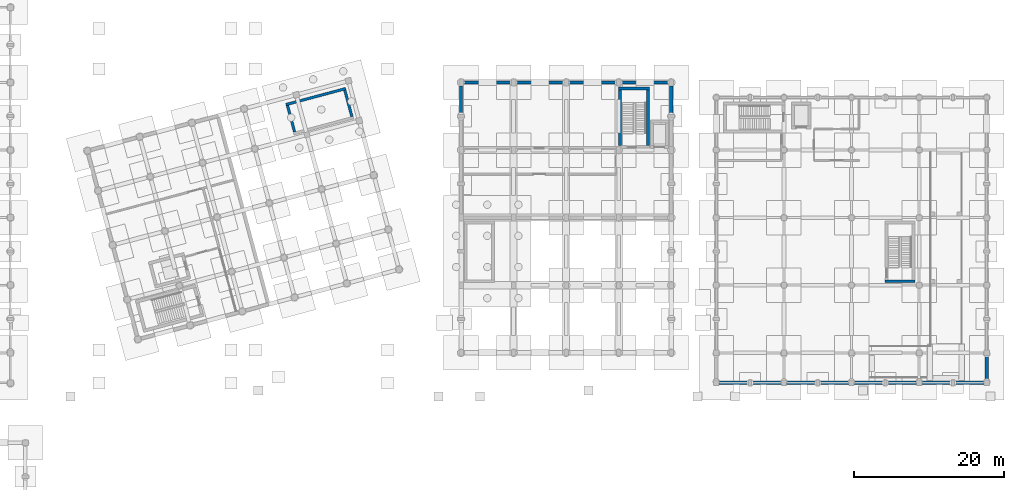
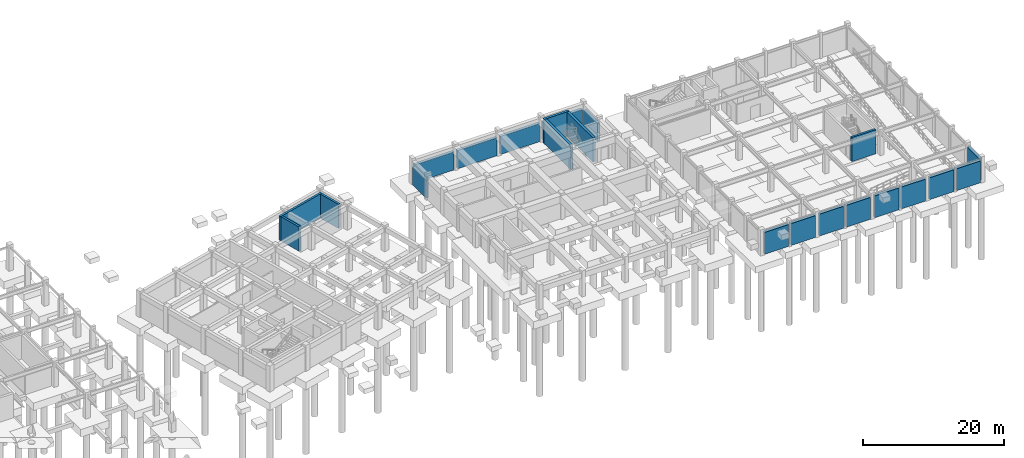
# One storey, part 14 of 20: 22 walls.
"""IFC4 building model written with IfcOpenShell, lengths in metres."""

import ifcopenshell
import ifcopenshell.guid

model = None  # the IFC model being written
_history = None  # IfcOwnerHistory: only IFC2X3 demands one
_inside = {}  # id of a spatial element -> (the spatial element, [elements in it])
_under = {}  # id of a project, library or spatial element -> (it, [spatial elements below it])
_declared = {}  # id of a project -> (the project, [libraries it declares])
_typed = {}  # id of a type object -> (the type object, [elements of that type])
_made_of = {}  # id of a material, layer set ... -> (it, [elements and type objects made of it])


def new_model(schema):
    """Start an empty IFC model of exactly this schema.

    Asked for "IFC4X3", IfcOpenShell would pick the latest addendum, in which some entities
    have other attributes; the version numbers below select the first issue.
    IFC2X3 requires an IfcOwnerHistory on every rooted entity: one is made here for all.
    """
    global model, _history
    if schema == "IFC4X3":
        model = ifcopenshell.file(schema_version=(4, 3, 0, 0))
    else:
        model = ifcopenshell.file(schema=schema)
    _inside.clear()
    _under.clear()
    _declared.clear()
    _typed.clear()
    _made_of.clear()
    _history = None
    if model.schema == "IFC2X3":
        org = make("IfcOrganization", Name="unknown")
        user = make(
            "IfcPersonAndOrganization",
            ThePerson=make("IfcPerson", FamilyName="unknown"),
            TheOrganization=org,
        )
        app = make(
            "IfcApplication",
            ApplicationDeveloper=org,
            Version="unknown",
            ApplicationFullName="unknown",
            ApplicationIdentifier="unknown",
        )
        _history = make(
            "IfcOwnerHistory",
            OwningUser=user,
            OwningApplication=app,
            ChangeAction="ADDED",
            CreationDate=0,
        )
    return model


def make(cls, **values):
    """One entity of the class cls with the attributes given. An attribute that is None is left unset."""
    return model.create_entity(
        cls, **{name: value for name, value in values.items() if value is not None}
    )


def rooted(cls, **values):
    """An entity with a GlobalId (a new one), such as an element, a storey or a relation."""
    return make(cls, GlobalId=ifcopenshell.guid.new(), OwnerHistory=_history, **values)


def si_unit(unit_type, name, prefix=None):
    """IfcSIUnit, for example si_unit("LENGTHUNIT", "METRE", prefix="MILLI")."""
    return make("IfcSIUnit", UnitType=unit_type, Prefix=prefix, Name=name)


def assignment(units):
    """IfcUnitAssignment: the units of a project."""
    return None if units is None else make("IfcUnitAssignment", Units=units)


def point(xyz):
    """IfcCartesianPoint."""
    return None if xyz is None else make("IfcCartesianPoint", Coordinates=xyz)


def direction(xyz):
    """IfcDirection."""
    return None if xyz is None else make("IfcDirection", DirectionRatios=xyz)


def frame(location, z_axis=None, x_axis=None):
    """IfcAxis2Placement3D, a coordinate frame: its origin and axes. An axis left out is left unset."""
    return make(
        "IfcAxis2Placement3D",
        Location=point(location),
        Axis=direction(z_axis),
        RefDirection=direction(x_axis),
    )


def frame_2d(location, x_axis=None):
    """IfcAxis2Placement2D, a coordinate frame in the plane: its origin and x axis."""
    return make(
        "IfcAxis2Placement2D", Location=point(location), RefDirection=direction(x_axis)
    )


def origin():
    """The frame at (0, 0, 0) with its axes left unset."""
    return frame((0.0, 0.0, 0.0))


def place(relative_to, where):
    """IfcLocalPlacement: puts the frame where relative to a parent placement (None: the world)."""
    return make(
        "IfcLocalPlacement", PlacementRelTo=relative_to, RelativePlacement=where
    )


def context(
    kind, dimensions, precision=None, world=None, true_north=None, identifier=None
):
    """IfcGeometricRepresentationContext, for example the 3D "Model" context."""
    return make(
        "IfcGeometricRepresentationContext",
        ContextIdentifier=identifier,
        ContextType=kind,
        CoordinateSpaceDimension=dimensions,
        Precision=precision,
        WorldCoordinateSystem=world,
        TrueNorth=true_north,
    )


def subcontext(parent, identifier, kind, view, scale=None):
    """IfcGeometricRepresentationSubContext, for example "Body" below "Model"."""
    return make(
        "IfcGeometricRepresentationSubContext",
        ContextIdentifier=identifier,
        ContextType=kind,
        ParentContext=parent,
        TargetScale=scale,
        TargetView=view,
    )


def project(units=None, contexts=None):
    """IfcProject with its units and contexts."""
    return rooted(
        "IfcProject",
        Name="project",
        RepresentationContexts=contexts,
        UnitsInContext=assignment(units),
    )


def spatial(cls, under=None, at=None, **own):
    """A site, building, storey or space (cls), placed at a placement, below another one or the project."""
    s = rooted(cls, ObjectPlacement=at, **own)
    if under is not None:
        _under.setdefault(under.id(), (under, []))[1].append(s)
    return s


def profile(cls, at=None, kind="AREA", **sizes):
    """A parametric profile (cls). Its sizes go by their IFC names, for example OverallWidth=200.0."""
    return make(cls, ProfileType=kind, Position=at, **sizes)


def rectangle(**sizes):
    """IfcRectangleProfileDef."""
    return profile("IfcRectangleProfileDef", **sizes)


def extrude(swept, where, along, depth):
    """IfcExtrudedAreaSolid: the profile swept, set in the frame where, extruded along a direction by depth."""
    return make(
        "IfcExtrudedAreaSolid",
        SweptArea=swept,
        Position=where,
        ExtrudedDirection=direction(along),
        Depth=depth,
    )


def shape(context_of_items, identifier, shape_type, items):
    """IfcShapeRepresentation: the items that make up one representation, for example the "Body"."""
    return make(
        "IfcShapeRepresentation",
        ContextOfItems=context_of_items,
        RepresentationIdentifier=identifier,
        RepresentationType=shape_type,
        Items=items,
    )


def material(Name=None, Category=None):
    """IfcMaterial."""
    return make("IfcMaterial", Name=Name, Category=Category)


def layer(
    of_material, thickness, ventilated=None, Name=None, Category=None, Priority=None
):
    """IfcMaterialLayer: one layer of a wall or slab, of a material (None: an air gap)."""
    return make(
        "IfcMaterialLayer",
        Material=of_material,
        LayerThickness=thickness,
        IsVentilated=ventilated,
        Name=Name,
        Category=Category,
        Priority=Priority,
    )


def layer_set(layers, Name=None):
    """IfcMaterialLayerSet."""
    return make("IfcMaterialLayerSet", MaterialLayers=layers, LayerSetName=Name)


def made_of(thing, what):
    """Note that an element or type object is made of a material, layer set ...; save() writes the relation."""
    if what is not None:
        _made_of.setdefault(what.id(), (what, []))[1].append(thing)
    return thing


def type_object(cls, material=None, **own):
    """A type object (cls), such as IfcWallType, which elements share."""
    return made_of(rooted(cls, **own), material)


def element(
    cls,
    number,
    at=None,
    inside=None,
    cuts=None,
    type_object=None,
    material=None,
    context=None,
    identifier="Body",
    shape_type=None,
    held_by="IfcProductDefinitionShape",
    body=None,
    shapes=None,
    **own,
):
    """One element of the class cls, such as IfcWall. Its Tag is "e" and its number.

    at: its placement. inside: the storey or other place that contains it. cuts: it is an
    opening in that element (IfcRelVoidsElement). A single representation is given by context,
    identifier, shape_type and body (its items); several are given by shapes. held_by: the class
    of the entity that holds the representations. save() writes the other relations.
    """
    e = rooted(cls, Tag="e%d" % number, ObjectPlacement=at, **own)
    if body is not None:
        shapes = [shape(context, identifier, shape_type, body)]
    if shapes is not None:
        e.Representation = make(held_by, Representations=shapes)
    if inside is not None:
        _inside.setdefault(inside.id(), (inside, []))[1].append(e)
    if cuts is not None:
        rooted(
            "IfcRelVoidsElement", RelatingBuildingElement=cuts, RelatedOpeningElement=e
        )
    if type_object is not None:
        _typed.setdefault(type_object.id(), (type_object, []))[1].append(e)
    return made_of(e, material)


def aggregate(whole, parts):
    """IfcRelAggregates: a whole, such as a stair, and the parts it consists of."""
    return rooted("IfcRelAggregates", RelatingObject=whole, RelatedObjects=parts)


def save(model, path):
    """Write the relations noted so far, then the file.

    IfcRelAggregates (storeys below a building ...), IfcRelContainedInSpatialStructure (elements
    in a storey), IfcRelDefinesByType, IfcRelAssociatesMaterial and IfcRelDeclares: one each for
    every whole, place, type object, material and project.
    """
    for whole, parts in _under.values():
        aggregate(whole, parts)
    for where, things in _inside.values():
        rooted(
            "IfcRelContainedInSpatialStructure",
            RelatedElements=things,
            RelatingStructure=where,
        )
    for kind, things in _typed.values():
        rooted("IfcRelDefinesByType", RelatedObjects=things, RelatingType=kind)
    for what, things in _made_of.values():
        rooted("IfcRelAssociatesMaterial", RelatedObjects=things, RelatingMaterial=what)
    for by, libraries in _declared.values():
        rooted("IfcRelDeclares", RelatingContext=by, RelatedDefinitions=libraries)
    model.write(path)


model = new_model("IFC4")

# Units and contexts
model_context = context("Model", 3, precision=1e-05, world=origin(), true_north=direction((0.0, 1.0)))
body_context = subcontext(model_context, "Body", "Model", "MODEL_VIEW")
ifc_project = project(units=[si_unit("LENGTHUNIT", "METRE"), si_unit("AREAUNIT", "SQUARE_METRE"), si_unit("VOLUMEUNIT", "CUBIC_METRE"), si_unit("PLANEANGLEUNIT", "RADIAN"), si_unit("MASSUNIT", "GRAM", prefix="KILO")], contexts=[model_context])

# Site, building, storey
site_placement = place(None, origin())
site = spatial("IfcSite", under=ifc_project, at=site_placement, CompositionType="ELEMENT")
building_placement = place(site_placement, origin())
building = spatial("IfcBuilding", under=site, at=building_placement, Name="Ventoquebrada Cableway Terminal", CompositionType="ELEMENT")
storey_placement = place(building_placement, frame((0.0, 0.0, -4.5)))
storey = spatial("IfcBuildingStorey", under=building, at=storey_placement, Name="B1", CompositionType="ELEMENT", Elevation=-4.5)

# Walls
ifc_material_1 = material(Name="Concrete C40/50", Category="concrete")
ifc_layer_1 = layer(ifc_material_1, 0.39990234375)
ifc_layer_set_1 = layer_set([ifc_layer_1], Name="Concrete C40/50")
wall_type_1 = type_object("IfcWallType", Name="WL-CR1", PredefinedType="SHEAR", material=ifc_layer_set_1)
wall_1_placement = place(storey_placement, frame((119.89990234375, 95.60009765625, 0.0), z_axis=(0.0, 0.0, 1.0), x_axis=(0.0, 1.0, 0.0)))
element("IfcWall", 1, at=wall_1_placement, inside=storey, type_object=wall_type_1, Name="Core shear wall IW-0122", PredefinedType="SHEAR", context=body_context, shape_type="SweptSolid", body=[
    extrude(rectangle(XDim=7.39990234375, YDim=0.39990234375, at=frame_2d((3.699951171875, 0.0))), origin(), (0.0, 0.0, 1.0), 4.18994140625),
])
wall_2_placement = place(storey_placement, frame((120.10009765625, 103.199951171875, 0.0), z_axis=(0.0, 0.0, 1.0), x_axis=(-1.0, 0.0, 0.0)))
element("IfcWall", 2, at=wall_2_placement, inside=storey, type_object=wall_type_1, Name="Core shear wall IW-0123", PredefinedType="SHEAR", context=body_context, shape_type="SweptSolid", body=[
    extrude(rectangle(XDim=4.10009765625, YDim=0.39990234375, at=frame_2d((2.050048828125, 0.0))), origin(), (0.0, 0.0, 1.0), 4.18994140625),
])
wall_3_placement = place(storey_placement, frame((116.199951171875, 103.0, 0.0), z_axis=(0.0, 0.0, 1.0), x_axis=(0.0, -1.0, 0.0)))
element("IfcWall", 3, at=wall_3_placement, inside=storey, type_object=wall_type_1, Name="Core shear wall IW-0124", PredefinedType="SHEAR", context=body_context, shape_type="SweptSolid", body=[
    extrude(rectangle(XDim=7.39990234375, YDim=0.39990234375, at=frame_2d((3.699951171875, 0.0))), origin(), (0.0, 0.0, 1.0), 4.18994140625),
])
ifc_material_2 = material(Name="Concrete C45/55", Category="concrete")
ifc_layer_2 = layer(ifc_material_2, 0.449951171875)
ifc_layer_set_2 = layer_set([ifc_layer_2], Name="Concrete C45/55")
wall_type_2 = type_object("IfcWallType", Name="WL-RT1", PredefinedType="USERDEFINED", material=ifc_layer_set_2)
wall_4_placement = place(storey_placement, frame((123.0, 99.719970703125, 0.0), z_axis=(0.0, 0.0, 1.0), x_axis=(0.0, 1.0, 0.0)))
element("IfcWall", 4, at=wall_4_placement, inside=storey, type_object=wall_type_2, Name="Perimeter basement retaining wall EW-0022", ObjectType="RETAINING WALL", PredefinedType="USERDEFINED", context=body_context, shape_type="SweptSolid", body=[
    extrude(rectangle(XDim=3.8349609375, YDim=0.449951171875, at=frame_2d((1.91748046875, 0.0))), origin(), (0.0, 0.0, 1.0), 3.125),
])
for number, where, z_axis, x_axis, name in (
    (5, (122.705078125, 104.0, 0.0), (0.0, 0.0, 1.0), (-1.0, 0.0, 0.0), "Perimeter basement retaining wall EW-0023"),
    (6, (115.705078125, 104.0, 0.0), (0.0, 0.0, 1.0), (-1.0, 0.0, 0.0), "Perimeter basement retaining wall EW-0024"),
    (7, (108.705078125, 104.0, 0.0), (0.0, 0.0, 1.0), (-1.0, 0.0, 0.0), "Perimeter basement retaining wall EW-0025"),
    (8, (101.705078125, 104.0, 0.0), (0.0, 0.0, 1.0), (-1.0, 0.0, 0.0), "Perimeter basement retaining wall EW-0026"),
):
    element("IfcWall", number, at=place(storey_placement, frame(where, z_axis=z_axis, x_axis=x_axis)), inside=storey, type_object=wall_type_2, Name=name, ObjectType="RETAINING WALL", PredefinedType="USERDEFINED", context=body_context, shape_type="SweptSolid", body=[
        extrude(rectangle(XDim=6.41015625, YDim=0.449951171875, at=frame_2d((3.205078125, 0.0))), origin(), (0.0, 0.0, 1.0), 3.125),
    ])
wall_5_placement = place(storey_placement, frame((95.0, 103.554931640625, 0.0), z_axis=(0.0, 0.0, 1.0), x_axis=(0.0, -1.0, 0.0)))
element("IfcWall", 9, at=wall_5_placement, inside=storey, type_object=wall_type_2, Name="Perimeter basement retaining wall EW-0027", ObjectType="RETAINING WALL", PredefinedType="USERDEFINED", context=body_context, shape_type="SweptSolid", body=[
    extrude(rectangle(XDim=3.8349609375, YDim=0.449951171875, at=frame_2d((1.91748046875, 0.0))), origin(), (0.0, 0.0, 1.0), 3.125),
])
for number, where, z_axis, x_axis, name in (
    (10, (129.344970703125, 64.0, 0.0), (0.0, 0.0, 1.0), (1.0, 0.0, 0.0), "Perimeter basement retaining wall EW-0031"),
    (11, (133.695068359375, 64.0, 0.0), (0.0, 0.0, 1.0), (1.0, 0.0, 0.0), "Perimeter basement retaining wall EW-0032"),
    (12, (138.344970703125, 64.0, 0.0), (0.0, 0.0, 1.0), (1.0, 0.0, 0.0), "Perimeter basement retaining wall EW-0033"),
    (13, (142.695068359375, 64.0, 0.0), (0.0, 0.0, 1.0), (1.0, 0.0, 0.0), "Perimeter basement retaining wall EW-0034"),
    (14, (147.344970703125, 64.0, 0.0), (0.0, 0.0, 1.0), (1.0, 0.0, 0.0), "Perimeter basement retaining wall EW-0035"),
    (15, (151.695068359375, 64.0, 0.0), (0.0, 0.0, 1.0), (1.0, 0.0, 0.0), "Perimeter basement retaining wall EW-0036"),
    (16, (156.344970703125, 64.0, 0.0), (0.0, 0.0, 1.0), (1.0, 0.0, 0.0), "Perimeter basement retaining wall EW-0037"),
    (17, (160.695068359375, 64.0, 0.0), (0.0, 0.0, 1.0), (1.0, 0.0, 0.0), "Perimeter basement retaining wall EW-0038"),
):
    element("IfcWall", number, at=place(storey_placement, frame(where, z_axis=z_axis, x_axis=x_axis)), inside=storey, type_object=wall_type_2, Name=name, ObjectType="RETAINING WALL", PredefinedType="USERDEFINED", context=body_context, shape_type="SweptSolid", body=[
        extrude(rectangle(XDim=3.9599609375, YDim=0.449951171875, at=frame_2d((1.97998046875, 0.0))), origin(), (0.0, 0.0, 1.0), 3.77490234375),
    ])
wall_6_placement = place(storey_placement, frame((165.0, 64.344970703125, 0.0), z_axis=(0.0, 0.0, 1.0), x_axis=(0.0, 1.0, 0.0)))
element("IfcWall", 18, at=wall_6_placement, inside=storey, type_object=wall_type_2, Name="Perimeter basement retaining wall EW-0039", ObjectType="RETAINING WALL", PredefinedType="USERDEFINED", context=body_context, shape_type="SweptSolid", body=[
    extrude(rectangle(XDim=3.31005859375, YDim=0.449951171875, at=frame_2d((1.655029296875, 0.0))), origin(), (0.0, 0.0, 1.0), 3.77490234375),
])
ifc_layer_3 = layer(ifc_material_1, 0.35009765625)
ifc_layer_set_3 = layer_set([ifc_layer_3], Name="Concrete C40/50")
wall_type_3 = type_object("IfcWallType", Name="WL-SH1", PredefinedType="SHEAR", material=ifc_layer_set_3)
wall_7_placement = place(storey_placement, frame((151.47509765625, 77.550048828125, 0.0), z_axis=(0.0, 0.0, 1.0), x_axis=(1.0, 0.0, 0.0)))
element("IfcWall", 19, at=wall_7_placement, inside=storey, type_object=wall_type_3, Name="Core shear wall IW-0245", PredefinedType="SHEAR", context=body_context, shape_type="SweptSolid", body=[
    extrude(rectangle(XDim=3.949951171875, YDim=0.35009765625, at=frame_2d((1.97509765625, 0.0))), origin(), (0.0, 0.0, 1.0), 4.18994140625),
])
wall_8_placement = place(storey_placement, frame((80.471923828125, 99.445068359375, 0.0), z_axis=(0.0, 0.0, 1.0), x_axis=(-0.258903281768, 0.965903251206, 0.0)))
element("IfcWall", 20, at=wall_8_placement, inside=storey, type_object=wall_type_3, Name="Core shear wall IW-0278", PredefinedType="SHEAR", context=body_context, shape_type="SweptSolid", body=[
    extrude(rectangle(XDim=3.6494140625, YDim=0.35009765625, at=frame_2d((1.82470703125, 0.0))), origin(), (0.0, 0.0, 1.0), 4.18994140625),
])
wall_9_placement = place(storey_placement, frame((79.65087890625, 103.18408203125, 0.0), z_axis=(0.0, 0.0, 1.0), x_axis=(-0.965963766628, -0.258677408293, 0.0)))
element("IfcWall", 21, at=wall_9_placement, inside=storey, type_object=wall_type_3, Name="Core shear wall IW-0279", PredefinedType="SHEAR", context=body_context, shape_type="SweptSolid", body=[
    extrude(rectangle(XDim=8.249755859375, YDim=0.35009765625, at=frame_2d((4.125, 0.0))), origin(), (0.0, 0.0, 1.0), 4.18994140625),
])
wall_10_placement = place(storey_placement, frame((71.89599609375, 100.926025390625, 0.0), z_axis=(0.0, 0.0, 1.0), x_axis=(0.259131609127, -0.965842020804, 0.0)))
element("IfcWall", 22, at=wall_10_placement, inside=storey, type_object=wall_type_3, Name="Core shear wall IW-0280", PredefinedType="SHEAR", context=body_context, shape_type="SweptSolid", body=[
    extrude(rectangle(XDim=3.65087890625, YDim=0.35009765625, at=frame_2d((1.825439453125, 0.0))), origin(), (0.0, 0.0, 1.0), 4.18994140625),
])

save(model, "model.ifc")
